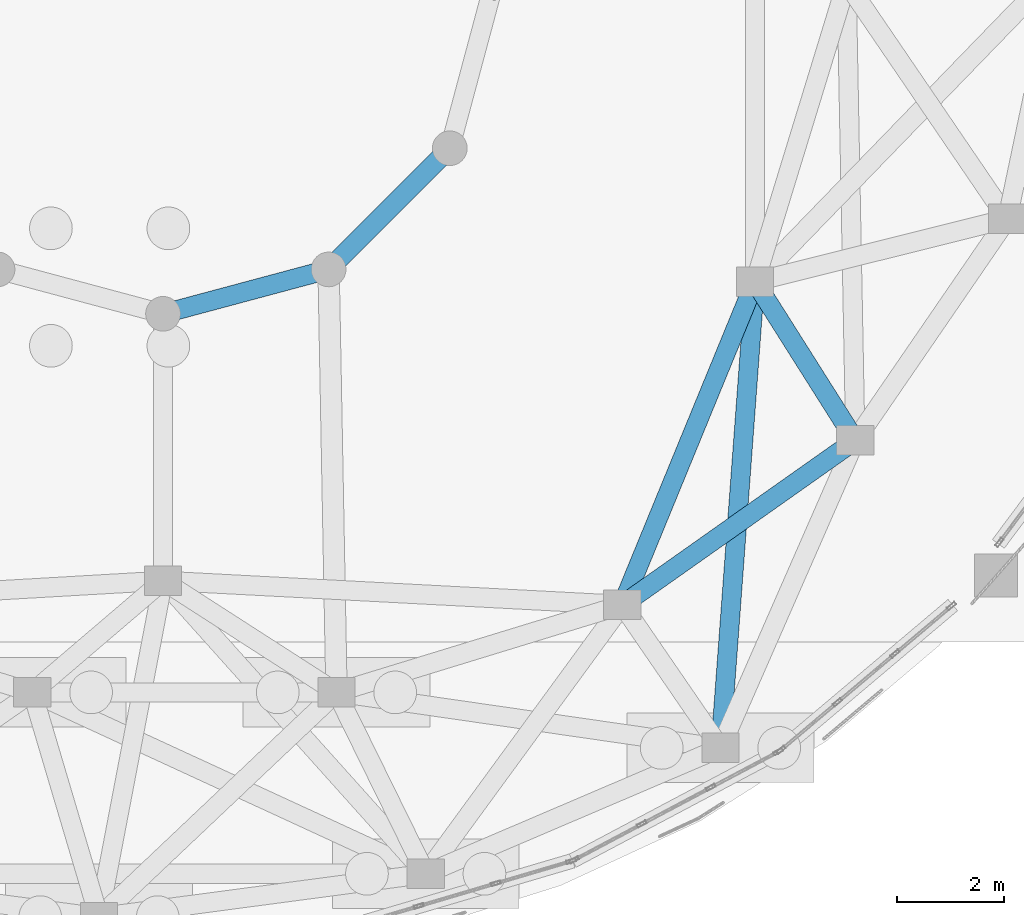
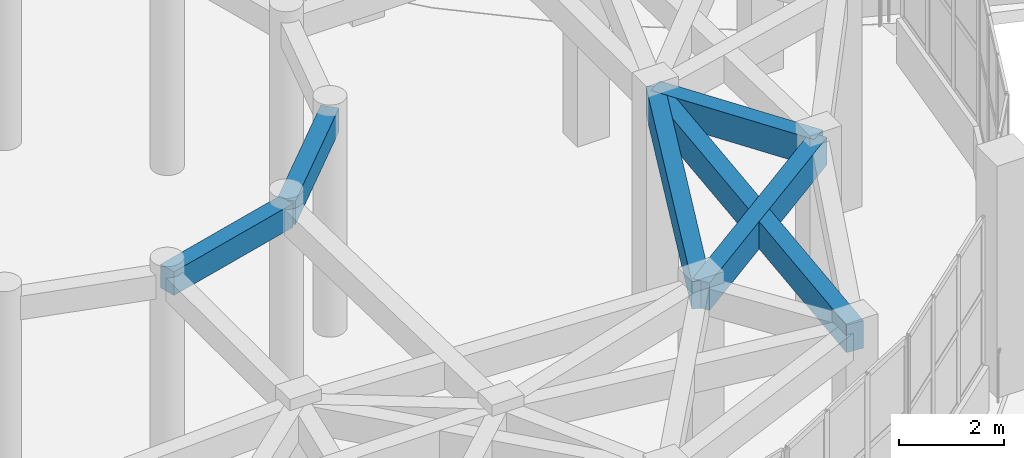
# One storey, part 13 of 96: 6 beams.
"""IFC4 building model written with IfcOpenShell, lengths in metres."""

import ifcopenshell
import ifcopenshell.guid

model = None  # the IFC model being written
_history = None  # IfcOwnerHistory: only IFC2X3 demands one
_inside = {}  # id of a spatial element -> (the spatial element, [elements in it])
_under = {}  # id of a project, library or spatial element -> (it, [spatial elements below it])
_declared = {}  # id of a project -> (the project, [libraries it declares])
_typed = {}  # id of a type object -> (the type object, [elements of that type])
_made_of = {}  # id of a material, layer set ... -> (it, [elements and type objects made of it])


def new_model(schema):
    """Start an empty IFC model of exactly this schema.

    Asked for "IFC4X3", IfcOpenShell would pick the latest addendum, in which some entities
    have other attributes; the version numbers below select the first issue.
    IFC2X3 requires an IfcOwnerHistory on every rooted entity: one is made here for all.
    """
    global model, _history
    if schema == "IFC4X3":
        model = ifcopenshell.file(schema_version=(4, 3, 0, 0))
    else:
        model = ifcopenshell.file(schema=schema)
    _inside.clear()
    _under.clear()
    _declared.clear()
    _typed.clear()
    _made_of.clear()
    _history = None
    if model.schema == "IFC2X3":
        org = make("IfcOrganization", Name="unknown")
        user = make(
            "IfcPersonAndOrganization",
            ThePerson=make("IfcPerson", FamilyName="unknown"),
            TheOrganization=org,
        )
        app = make(
            "IfcApplication",
            ApplicationDeveloper=org,
            Version="unknown",
            ApplicationFullName="unknown",
            ApplicationIdentifier="unknown",
        )
        _history = make(
            "IfcOwnerHistory",
            OwningUser=user,
            OwningApplication=app,
            ChangeAction="ADDED",
            CreationDate=0,
        )
    return model


def make(cls, **values):
    """One entity of the class cls with the attributes given. An attribute that is None is left unset."""
    return model.create_entity(
        cls, **{name: value for name, value in values.items() if value is not None}
    )


def rooted(cls, **values):
    """An entity with a GlobalId (a new one), such as an element, a storey or a relation."""
    return make(cls, GlobalId=ifcopenshell.guid.new(), OwnerHistory=_history, **values)


def si_unit(unit_type, name, prefix=None):
    """IfcSIUnit, for example si_unit("LENGTHUNIT", "METRE", prefix="MILLI")."""
    return make("IfcSIUnit", UnitType=unit_type, Prefix=prefix, Name=name)


def assignment(units):
    """IfcUnitAssignment: the units of a project."""
    return None if units is None else make("IfcUnitAssignment", Units=units)


def point(xyz):
    """IfcCartesianPoint."""
    return None if xyz is None else make("IfcCartesianPoint", Coordinates=xyz)


def direction(xyz):
    """IfcDirection."""
    return None if xyz is None else make("IfcDirection", DirectionRatios=xyz)


def frame(location, z_axis=None, x_axis=None):
    """IfcAxis2Placement3D, a coordinate frame: its origin and axes. An axis left out is left unset."""
    return make(
        "IfcAxis2Placement3D",
        Location=point(location),
        Axis=direction(z_axis),
        RefDirection=direction(x_axis),
    )


def frame_2d(location, x_axis=None):
    """IfcAxis2Placement2D, a coordinate frame in the plane: its origin and x axis."""
    return make(
        "IfcAxis2Placement2D", Location=point(location), RefDirection=direction(x_axis)
    )


def origin():
    """The frame at (0, 0, 0) with its axes left unset."""
    return frame((0.0, 0.0, 0.0))


def origin_2d():
    """The frame at (0, 0) in the plane with its x axis left unset."""
    return frame_2d((0.0, 0.0))


def place(relative_to, where):
    """IfcLocalPlacement: puts the frame where relative to a parent placement (None: the world)."""
    return make(
        "IfcLocalPlacement", PlacementRelTo=relative_to, RelativePlacement=where
    )


def context(
    kind, dimensions, precision=None, world=None, true_north=None, identifier=None
):
    """IfcGeometricRepresentationContext, for example the 3D "Model" context."""
    return make(
        "IfcGeometricRepresentationContext",
        ContextIdentifier=identifier,
        ContextType=kind,
        CoordinateSpaceDimension=dimensions,
        Precision=precision,
        WorldCoordinateSystem=world,
        TrueNorth=true_north,
    )


def subcontext(parent, identifier, kind, view, scale=None):
    """IfcGeometricRepresentationSubContext, for example "Body" below "Model"."""
    return make(
        "IfcGeometricRepresentationSubContext",
        ContextIdentifier=identifier,
        ContextType=kind,
        ParentContext=parent,
        TargetScale=scale,
        TargetView=view,
    )


def project(units=None, contexts=None):
    """IfcProject with its units and contexts."""
    return rooted(
        "IfcProject",
        Name="project",
        RepresentationContexts=contexts,
        UnitsInContext=assignment(units),
    )


def spatial(cls, under=None, at=None, **own):
    """A site, building, storey or space (cls), placed at a placement, below another one or the project."""
    s = rooted(cls, ObjectPlacement=at, **own)
    if under is not None:
        _under.setdefault(under.id(), (under, []))[1].append(s)
    return s


def profile(cls, at=None, kind="AREA", **sizes):
    """A parametric profile (cls). Its sizes go by their IFC names, for example OverallWidth=200.0."""
    return make(cls, ProfileType=kind, Position=at, **sizes)


def rectangle(**sizes):
    """IfcRectangleProfileDef."""
    return profile("IfcRectangleProfileDef", **sizes)


def extrude(swept, where, along, depth):
    """IfcExtrudedAreaSolid: the profile swept, set in the frame where, extruded along a direction by depth."""
    return make(
        "IfcExtrudedAreaSolid",
        SweptArea=swept,
        Position=where,
        ExtrudedDirection=direction(along),
        Depth=depth,
    )


def shape(context_of_items, identifier, shape_type, items):
    """IfcShapeRepresentation: the items that make up one representation, for example the "Body"."""
    return make(
        "IfcShapeRepresentation",
        ContextOfItems=context_of_items,
        RepresentationIdentifier=identifier,
        RepresentationType=shape_type,
        Items=items,
    )


def material(Name=None, Category=None):
    """IfcMaterial."""
    return make("IfcMaterial", Name=Name, Category=Category)


def material_profile(
    of_material, cross_section, Name=None, Category=None, Priority=None
):
    """IfcMaterialProfile: a cross section and its material."""
    return make(
        "IfcMaterialProfile",
        Name=Name,
        Material=of_material,
        Profile=cross_section,
        Priority=Priority,
        Category=Category,
    )


def profile_set(profiles, Name=None, composite=None):
    """IfcMaterialProfileSet."""
    return make(
        "IfcMaterialProfileSet",
        Name=Name,
        MaterialProfiles=profiles,
        CompositeProfile=composite,
    )


def made_of(thing, what):
    """Note that an element or type object is made of a material, layer set ...; save() writes the relation."""
    if what is not None:
        _made_of.setdefault(what.id(), (what, []))[1].append(thing)
    return thing


def type_object(cls, material=None, **own):
    """A type object (cls), such as IfcWallType, which elements share."""
    return made_of(rooted(cls, **own), material)


def element(
    cls,
    number,
    at=None,
    inside=None,
    cuts=None,
    type_object=None,
    material=None,
    context=None,
    identifier="Body",
    shape_type=None,
    held_by="IfcProductDefinitionShape",
    body=None,
    shapes=None,
    **own,
):
    """One element of the class cls, such as IfcWall. Its Tag is "e" and its number.

    at: its placement. inside: the storey or other place that contains it. cuts: it is an
    opening in that element (IfcRelVoidsElement). A single representation is given by context,
    identifier, shape_type and body (its items); several are given by shapes. held_by: the class
    of the entity that holds the representations. save() writes the other relations.
    """
    e = rooted(cls, Tag="e%d" % number, ObjectPlacement=at, **own)
    if body is not None:
        shapes = [shape(context, identifier, shape_type, body)]
    if shapes is not None:
        e.Representation = make(held_by, Representations=shapes)
    if inside is not None:
        _inside.setdefault(inside.id(), (inside, []))[1].append(e)
    if cuts is not None:
        rooted(
            "IfcRelVoidsElement", RelatingBuildingElement=cuts, RelatedOpeningElement=e
        )
    if type_object is not None:
        _typed.setdefault(type_object.id(), (type_object, []))[1].append(e)
    return made_of(e, material)


def aggregate(whole, parts):
    """IfcRelAggregates: a whole, such as a stair, and the parts it consists of."""
    return rooted("IfcRelAggregates", RelatingObject=whole, RelatedObjects=parts)


def save(model, path):
    """Write the relations noted so far, then the file.

    IfcRelAggregates (storeys below a building ...), IfcRelContainedInSpatialStructure (elements
    in a storey), IfcRelDefinesByType, IfcRelAssociatesMaterial and IfcRelDeclares: one each for
    every whole, place, type object, material and project.
    """
    for whole, parts in _under.values():
        aggregate(whole, parts)
    for where, things in _inside.values():
        rooted(
            "IfcRelContainedInSpatialStructure",
            RelatedElements=things,
            RelatingStructure=where,
        )
    for kind, things in _typed.values():
        rooted("IfcRelDefinesByType", RelatedObjects=things, RelatingType=kind)
    for what, things in _made_of.values():
        rooted("IfcRelAssociatesMaterial", RelatedObjects=things, RelatingMaterial=what)
    for by, libraries in _declared.values():
        rooted("IfcRelDeclares", RelatingContext=by, RelatedDefinitions=libraries)
    model.write(path)


model = new_model("IFC4")

# Units and contexts
model_context = context("Model", 3, precision=1e-05, world=origin(), true_north=direction((0.0, 1.0)))
body_context = subcontext(model_context, "Body", "Model", "MODEL_VIEW")
ifc_project = project(units=[si_unit("LENGTHUNIT", "METRE"), si_unit("AREAUNIT", "SQUARE_METRE"), si_unit("VOLUMEUNIT", "CUBIC_METRE"), si_unit("PLANEANGLEUNIT", "RADIAN"), si_unit("MASSUNIT", "GRAM", prefix="KILO")], contexts=[model_context])

# Site, building, storey
site_placement = place(None, origin())
site = spatial("IfcSite", under=ifc_project, at=site_placement, CompositionType="ELEMENT")
building_placement = place(site_placement, origin())
building = spatial("IfcBuilding", under=site, at=building_placement, Name="Pelvatis Terrace Science Centre", CompositionType="ELEMENT")
storey_placement = place(building_placement, origin())
storey = spatial("IfcBuildingStorey", under=building, at=storey_placement, Name="L00", CompositionType="ELEMENT", Elevation=0.0)

# Beams
ifc_material_1 = material(Name="Concrete C35/45", Category="concrete")
ifc_material_profile_1 = material_profile(ifc_material_1, rectangle(XDim=0.360107421875, YDim=0.550048828125, at=origin_2d()), Name="RC-BM 360x550")
ifc_profile_set_1 = profile_set([ifc_material_profile_1], Name="Concrete C35/45")
beam_type_1 = type_object("IfcBeamType", Name="BM-RC-360x550", PredefinedType="BEAM", material=ifc_profile_set_1)
beam_1_placement = place(storey_placement, frame((46.800048828125, 28.89990234375, 4.864990234375), z_axis=(0.965909675762, 0.25887931217, 0.0), x_axis=(-0.25887931217, 0.965909675762, 0.0)))
element("IfcBeam", 1, at=beam_1_placement, inside=storey, type_object=beam_type_1, Name="Beam BM-L00-2232", PredefinedType="BEAM", context=body_context, shape_type="SweptSolid", body=[
    extrude(rectangle(XDim=0.360107421875, YDim=0.550048828125, at=origin_2d()), origin(), (0.0, 0.0, 1.0), 3.209228515625),
])
beam_2_placement = place(storey_placement, frame((49.89990234375, 29.730712890625, 4.864990234375), z_axis=(0.707144815061, 0.707068745266, 0.0), x_axis=(-0.707068745266, 0.707144815061, 0.0)))
element("IfcBeam", 2, at=beam_2_placement, inside=storey, type_object=beam_type_1, Name="Beam BM-L00-2234", PredefinedType="BEAM", context=body_context, shape_type="SweptSolid", body=[
    extrude(rectangle(XDim=0.360107421875, YDim=0.550048828125, at=origin_2d()), origin(), (0.0, 0.0, 1.0), 3.20947265625),
])
ifc_material_2 = material(Name="Concrete C35/45", Category="concrete")
ifc_material_profile_2 = material_profile(ifc_material_2, rectangle(XDim=0.360107421875, YDim=0.639892578125, at=origin_2d()), Name="RC-SPN 360x640")
ifc_profile_set_2 = profile_set([ifc_material_profile_2], Name="Concrete C35/45")
beam_type_2 = type_object("IfcBeamType", Name="SPN-RC-360x640", PredefinedType="SPANDREL", material=ifc_profile_set_2)
beam_3_placement = place(storey_placement, frame((55.39990234375, 23.44873046875, 4.820068359375), z_axis=(0.816893119097, 0.576789070607, 0.0), x_axis=(-0.576789070607, 0.816893119097, 0.0)))
element("IfcBeam", 3, at=beam_3_placement, inside=storey, type_object=beam_type_2, Name="Spandrel SP-L00-2358", PredefinedType="SPANDREL", context=body_context, shape_type="SweptSolid", body=[
    extrude(rectangle(XDim=0.360107421875, YDim=0.639892578125, at=origin_2d()), origin(), (0.0, 0.0, 1.0), 5.34130859375),
])
beam_4_placement = place(storey_placement, frame((55.39990234375, 23.44873046875, 4.820068359375), z_axis=(0.379888060317, 0.925032465175, 0.0), x_axis=(-0.925032465175, 0.379888060317, 0.0)))
element("IfcBeam", 4, at=beam_4_placement, inside=storey, type_object=beam_type_2, Name="Spandrel SP-L00-2362", PredefinedType="SPANDREL", context=body_context, shape_type="SweptSolid", body=[
    extrude(rectangle(XDim=0.360107421875, YDim=0.639892578125, at=origin_2d()), origin(), (0.0, 0.0, 1.0), 6.541748046875),
])
beam_5_placement = place(storey_placement, frame((59.76318359375, 26.529541015625, 4.820068359375), z_axis=(-0.534418949441, 0.845219726745, 0.0), x_axis=(-0.845219726745, -0.534418949441, 0.0)))
element("IfcBeam", 5, at=beam_5_placement, inside=storey, type_object=beam_type_2, Name="Spandrel SP-L00-2366", PredefinedType="SPANDREL", context=body_context, shape_type="SweptSolid", body=[
    extrude(rectangle(XDim=0.360107421875, YDim=0.639892578125, at=origin_2d()), origin(), (0.0, 0.0, 1.0), 3.514404296875),
])
beam_6_placement = place(storey_placement, frame((57.238037109375, 20.770263671875, 4.820068359375), z_axis=(0.073908669287, 0.997265014229, 0.0), x_axis=(-0.997265014229, 0.073908669287, 0.0)))
element("IfcBeam", 6, at=beam_6_placement, inside=storey, type_object=beam_type_2, Name="Spandrel SP-L00-2387", PredefinedType="SPANDREL", context=body_context, shape_type="SweptSolid", body=[
    extrude(rectangle(XDim=0.360107421875, YDim=0.639892578125, at=origin_2d()), origin(), (0.0, 0.0, 1.0), 8.753662109375),
])

save(model, "model.ifc")
